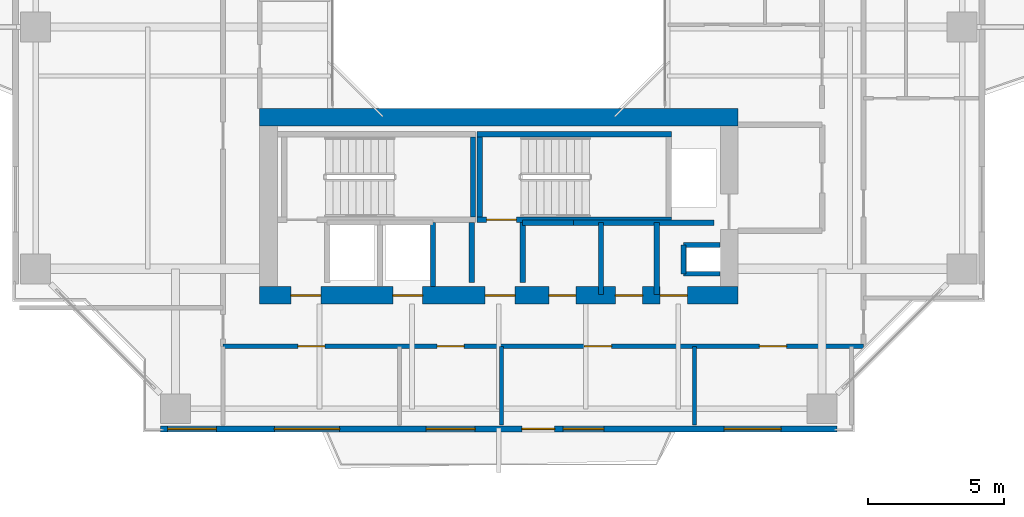
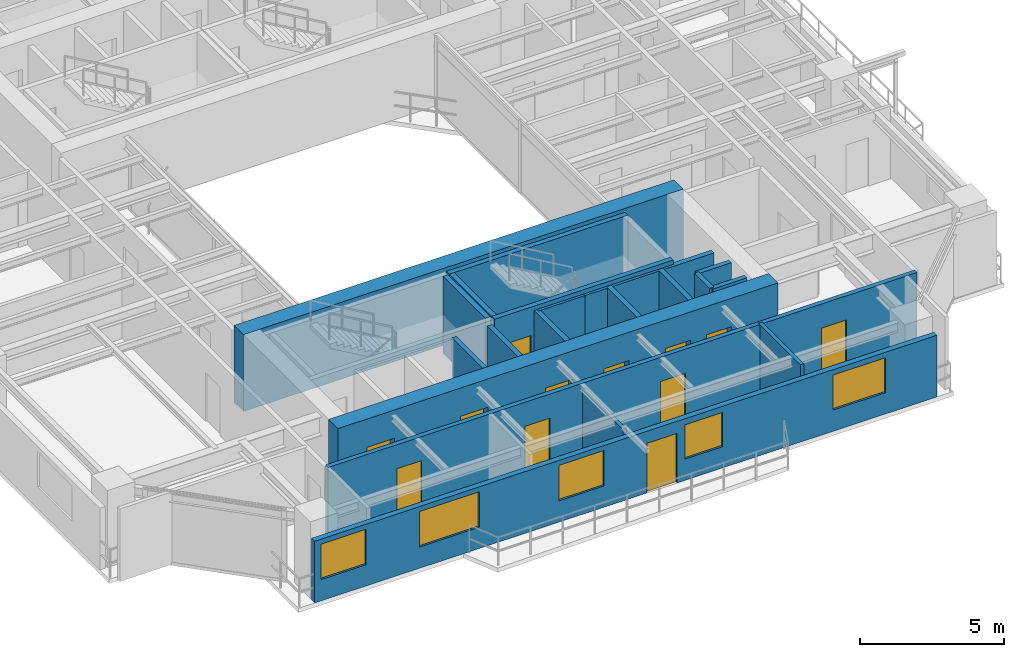
# One storey, part 10 of 17: 20 walls, 12 doors, 5 windows, 17 openings.
"""IFC4 building model written with IfcOpenShell, lengths in metres."""

from ifc_helpers import new_model, si_unit, direction, frame, frame_2d, origin, place, context, subcontext, project, spatial, rectangle, extrude, source, transform, mapped, material, layer, layer_set, type_object, element, fill, save


model = new_model("IFC4")

# Units and contexts
model_context = context("Model", 3, precision=1e-05, world=origin(), true_north=direction((0.0, 1.0)))
body_context = subcontext(model_context, "Body", "Model", "MODEL_VIEW")
ifc_project = project(units=[si_unit("LENGTHUNIT", "METRE"), si_unit("AREAUNIT", "SQUARE_METRE"), si_unit("VOLUMEUNIT", "CUBIC_METRE"), si_unit("PLANEANGLEUNIT", "RADIAN"), si_unit("MASSUNIT", "GRAM", prefix="KILO"), si_unit("THERMODYNAMICTEMPERATUREUNIT", "KELVIN"), si_unit("POWERUNIT", "WATT")], contexts=[model_context])

# Site, building, storey
site_placement = place(None, origin())
site = spatial("IfcSite", under=ifc_project, at=site_placement, CompositionType="ELEMENT")
building_placement = place(site_placement, origin())
building = spatial("IfcBuilding", under=site, at=building_placement, Name="Qiaomeng Ring Towers", CompositionType="ELEMENT")
storey_placement = place(building_placement, frame((0.0, 0.0, 119.75)))
storey = spatial("IfcBuildingStorey", under=building, at=storey_placement, Name="L34", CompositionType="ELEMENT", Elevation=119.75)

# Wall, openings, windows, door
ifc_material_1 = material(Name="Precast concrete C40", Category="concrete")
ifc_layer_1 = layer(ifc_material_1, 0.219970703125, Name="Precast concrete C40")
ifc_layer_set_1 = layer_set([ifc_layer_1], Name="Precast concrete C40")
wall_type_1 = type_object("IfcWallType", Name="ARC-WL-EW2", PredefinedType="STANDARD", material=ifc_layer_set_1)
wall_1_placement = place(storey_placement, frame((6.550048828125, 5.2099609375, 0.0), z_axis=(0.0, 0.0, 1.0), x_axis=(1.0, 0.0, 0.0)))
wall_1 = element("IfcWall", 1, at=wall_1_placement, inside=storey, type_object=wall_type_1, Name="L34 Tower 1 S Exterior Wall", PredefinedType="STANDARD", context=body_context, shape_type="SweptSolid", body=[
    extrude(rectangle(XDim=24.89990234375, YDim=0.219970703125, at=frame_2d((12.449951171875, 0.0))), origin(), (0.0, 0.0, 1.0), 2.610107421875),
])
opening_1_placement = place(wall_1_placement, frame((13.300048828125, 0.0, 0.0)))
opening_1 = element("IfcOpeningElement", 2, at=opening_1_placement, cuts=wall_1, Name="Opening BD1", PredefinedType="OPENING", context=body_context, shape_type="SweptSolid", body=[
    extrude(rectangle(XDim=1.199951171875, YDim=2.10009765625, at=frame_2d((0.60009765625, 1.050048828125))), frame((0.0, 0.119873046875, 0.0), z_axis=(0.0, -1.0, 0.0), x_axis=(1.0, 0.0, 0.0)), (0.0, 0.0, 1.0), 0.239990234375),
])
opening_2_placement = place(wall_1_placement, frame((0.257568359375, 0.0, 0.89990234375)))
opening_2 = element("IfcOpeningElement", 3, at=opening_2_placement, cuts=wall_1, Name="Opening WN1", PredefinedType="OPENING", context=body_context, shape_type="SweptSolid", body=[
    extrude(rectangle(XDim=1.800048828125, YDim=1.5, at=frame_2d((0.89990234375, 0.75))), frame((0.0, 0.119873046875, 0.0), z_axis=(0.0, -1.0, 0.0), x_axis=(1.0, 0.0, 0.0)), (0.0, 0.0, 1.0), 0.239990234375),
])
opening_3_placement = place(wall_1_placement, frame((9.77490234375, 0.0, 0.89990234375)))
opening_3 = element("IfcOpeningElement", 4, at=opening_3_placement, cuts=wall_1, Name="Opening WN1", PredefinedType="OPENING", context=body_context, shape_type="SweptSolid", body=[
    extrude(rectangle(XDim=1.800048828125, YDim=1.5, at=frame_2d((0.89990234375, 0.75))), frame((0.0, 0.119873046875, 0.0), z_axis=(0.0, -1.0, 0.0), x_axis=(1.0, 0.0, 0.0)), (0.0, 0.0, 1.0), 0.239990234375),
])
opening_4_placement = place(wall_1_placement, frame((14.81298828125, 0.0, 0.89990234375)))
opening_4 = element("IfcOpeningElement", 5, at=opening_4_placement, cuts=wall_1, Name="Opening WN2", PredefinedType="OPENING", context=body_context, shape_type="SweptSolid", body=[
    extrude(rectangle(XDim=1.5, YDim=1.449951171875, at=frame_2d((0.75, 0.72509765625))), frame((0.0, 0.119873046875, 0.0), z_axis=(0.0, -1.0, 0.0), x_axis=(1.0, 0.0, 0.0)), (0.0, 0.0, 1.0), 0.239990234375),
])
opening_5_placement = place(wall_1_placement, frame((20.738037109375, 0.0, 0.89990234375)))
opening_5 = element("IfcOpeningElement", 6, at=opening_5_placement, cuts=wall_1, Name="Opening WN4", PredefinedType="OPENING", context=body_context, shape_type="SweptSolid", body=[
    extrude(rectangle(XDim=2.10009765625, YDim=1.47998046875, at=frame_2d((1.050048828125, 0.739990234375))), frame((0.0, 0.119873046875, 0.0), z_axis=(0.0, -1.0, 0.0), x_axis=(1.0, 0.0, 0.0)), (0.0, 0.0, 1.0), 0.239990234375),
])
opening_6_placement = place(wall_1_placement, frame((4.1865234375, 0.0, 0.89990234375)))
opening_6 = element("IfcOpeningElement", 7, at=opening_6_placement, cuts=wall_1, Name="Opening WN6", PredefinedType="OPENING", context=body_context, shape_type="SweptSolid", body=[
    extrude(rectangle(XDim=2.39990234375, YDim=1.5, at=frame_2d((1.199951171875, 0.75))), frame((0.0, 0.119873046875, 0.0), z_axis=(0.0, -1.0, 0.0), x_axis=(1.0, 0.0, 0.0)), (0.0, 0.0, 1.0), 0.239990234375),
])
ifc_material_2 = material(Name="Low-E dark-grey laminated double glazing", Category="glass")
window_type_1 = type_object("IfcWindowType", Name="ARC-WN-2", PartitioningType="DOUBLE_PANEL_VERTICAL", PredefinedType="WINDOW", material=ifc_material_2)
shared_shape_1 = source(origin(), body_context, "Body", "SweptSolid", [
    extrude(rectangle(XDim=1.5, YDim=1.449951171875, at=frame_2d((0.75, 0.72509765625))), frame((0.0, 0.030029296875, 0.0), z_axis=(0.0, -1.0, 0.0), x_axis=(1.0, 0.0, 0.0)), (0.0, 0.0, 1.0), 0.06005859375),
])
window_1_placement = place(opening_4_placement, origin())
window_1 = element("IfcWindow", 8, at=window_1_placement, inside=storey, type_object=window_type_1, Name="L34 Exterior Window WN2", OverallHeight=1.449951171875, OverallWidth=1.5, PartitioningType="DOUBLE_PANEL_VERTICAL", PredefinedType="WINDOW", context=body_context, shape_type="MappedRepresentation", body=[
    mapped(shared_shape_1, transform((0.0, 0.0, 0.0), x_axis=(1.0, 0.0, 0.0), y_axis=(0.0, 1.0, 0.0), z_axis=(0.0, 0.0, 1.0), scale=1.0)),
])
fill(opening_4, window_1)
window_type_2 = type_object("IfcWindowType", Name="ARC-WN-4", PartitioningType="TRIPLE_PANEL_VERTICAL", PredefinedType="WINDOW", material=ifc_material_2)
shared_shape_2 = source(origin(), body_context, "Body", "SweptSolid", [
    extrude(rectangle(XDim=2.10009765625, YDim=1.47998046875, at=frame_2d((1.050048828125, 0.739990234375))), frame((0.0, 0.030029296875, 0.0), z_axis=(0.0, -1.0, 0.0), x_axis=(1.0, 0.0, 0.0)), (0.0, 0.0, 1.0), 0.06005859375),
])
window_2_placement = place(opening_5_placement, origin())
window_2 = element("IfcWindow", 9, at=window_2_placement, inside=storey, type_object=window_type_2, Name="L34 Exterior Window WN4", OverallHeight=1.47998046875, OverallWidth=2.10009765625, PartitioningType="TRIPLE_PANEL_VERTICAL", PredefinedType="WINDOW", context=body_context, shape_type="MappedRepresentation", body=[
    mapped(shared_shape_2, transform((0.0, 0.0, 0.0), x_axis=(1.0, 0.0, 0.0), y_axis=(0.0, 1.0, 0.0), z_axis=(0.0, 0.0, 1.0), scale=1.0)),
])
fill(opening_5, window_2)
door_type_1 = type_object("IfcDoorType", Name="ARC-DR-BD1", OperationType="NOTDEFINED", PredefinedType="DOOR", material=ifc_material_2)
shared_shape_3 = source(origin(), body_context, "Body", "SweptSolid", [
    extrude(rectangle(XDim=1.199951171875, YDim=2.10009765625, at=frame_2d((0.60009765625, 1.050048828125))), frame((0.0, 0.02490234375, 0.0), z_axis=(0.0, -1.0, 0.0), x_axis=(1.0, 0.0, 0.0)), (0.0, 0.0, 1.0), 0.050048828125),
])
door_1_placement = place(opening_1_placement, frame((1.199951171875, 0.0, 0.0), z_axis=(0.0, 0.0, 1.0), x_axis=(-1.0, 0.0, 0.0)))
door_1 = element("IfcDoor", 10, at=door_1_placement, inside=storey, type_object=door_type_1, Name="L34 S Balcony Glazed Door", OperationType="SINGLE_SWING_LEFT", OverallHeight=2.10009765625, OverallWidth=1.199951171875, PredefinedType="DOOR", context=body_context, shape_type="MappedRepresentation", body=[
    mapped(shared_shape_3, transform((0.0, 0.0, 0.0), x_axis=(1.0, 0.0, 0.0), y_axis=(0.0, 1.0, 0.0), z_axis=(0.0, 0.0, 1.0), scale=1.0)),
])
fill(opening_1, door_1)
window_type_3 = type_object("IfcWindowType", Name="ARC-WN-6", PartitioningType="TRIPLE_PANEL_VERTICAL", PredefinedType="WINDOW", material=ifc_material_2)
shared_shape_4 = source(origin(), body_context, "Body", "SweptSolid", [
    extrude(rectangle(XDim=2.39990234375, YDim=1.5, at=frame_2d((1.199951171875, 0.75))), frame((0.0, 0.030029296875, 0.0), z_axis=(0.0, -1.0, 0.0), x_axis=(1.0, 0.0, 0.0)), (0.0, 0.0, 1.0), 0.06005859375),
])
window_3_placement = place(opening_6_placement, origin())
window_3 = element("IfcWindow", 11, at=window_3_placement, inside=storey, type_object=window_type_3, Name="L34 Exterior Window WN6", OverallHeight=1.5, OverallWidth=2.39990234375, PartitioningType="TRIPLE_PANEL_VERTICAL", PredefinedType="WINDOW", context=body_context, shape_type="MappedRepresentation", body=[
    mapped(shared_shape_4, transform((0.0, 0.0, 0.0), x_axis=(1.0, 0.0, 0.0), y_axis=(0.0, 1.0, 0.0), z_axis=(0.0, 0.0, 1.0), scale=1.0)),
])
fill(opening_6, window_3)
window_type_4 = type_object("IfcWindowType", Name="ARC-WN-1", PartitioningType="DOUBLE_PANEL_VERTICAL", PredefinedType="WINDOW", material=ifc_material_2)
shared_shape_5 = source(origin(), body_context, "Body", "SweptSolid", [
    extrude(rectangle(XDim=1.800048828125, YDim=1.5, at=frame_2d((0.89990234375, 0.75))), frame((0.0, 0.030029296875, 0.0), z_axis=(0.0, -1.0, 0.0), x_axis=(1.0, 0.0, 0.0)), (0.0, 0.0, 1.0), 0.06005859375),
])
window_4_placement = place(opening_2_placement, origin())
window_4 = element("IfcWindow", 12, at=window_4_placement, inside=storey, type_object=window_type_4, Name="L34 Exterior Window WN6", OverallHeight=1.5, OverallWidth=1.800048828125, PartitioningType="TRIPLE_PANEL_VERTICAL", PredefinedType="WINDOW", context=body_context, shape_type="MappedRepresentation", body=[
    mapped(shared_shape_5, transform((0.0, 0.0, 0.0), x_axis=(1.0, 0.0, 0.0), y_axis=(0.0, 1.0, 0.0), z_axis=(0.0, 0.0, 1.0), scale=1.0)),
])
fill(opening_2, window_4)
window_5_placement = place(opening_3_placement, origin())
window_5 = element("IfcWindow", 13, at=window_5_placement, inside=storey, type_object=window_type_4, Name="L34 Exterior Window WN1", OverallHeight=1.5, OverallWidth=1.800048828125, PartitioningType="DOUBLE_PANEL_VERTICAL", PredefinedType="WINDOW", context=body_context, shape_type="MappedRepresentation", body=[
    mapped(shared_shape_5, transform((0.0, 0.0, 0.0), x_axis=(1.0, 0.0, 0.0), y_axis=(0.0, 1.0, 0.0), z_axis=(0.0, 0.0, 1.0), scale=1.0)),
])
fill(opening_3, window_5)

# Walls
ifc_material_3 = material(Name="Autoclaved aerated concrete block", Category="concrete")
ifc_layer_2 = layer(ifc_material_3, 0.199951171875, Name="Autoclaved aerated concrete block")
ifc_layer_set_2 = layer_set([ifc_layer_2], Name="Autoclaved aerated concrete block")
wall_type_2 = type_object("IfcWallType", Name="ARC-WL-PW1", PredefinedType="PARTITIONING", material=ifc_layer_set_2)
for number, where, z_axis, x_axis, name in (
    (14, (18.0, 10.60009765625, 0.0), (0.0, 0.0, 1.0), (0.0, 1.0, 0.0), "L34 Interior Wall PW1"),
    (15, (19.8798828125, 10.60009765625, 0.0), (0.0, 0.0, 1.0), (0.0, 1.0, 0.0), "L34 Interior Wall PW1"),
):
    element("IfcWall", number, at=place(storey_placement, frame(where, z_axis=z_axis, x_axis=x_axis)), inside=storey, type_object=wall_type_2, Name=name, PredefinedType="PARTITIONING", context=body_context, shape_type="SweptSolid", body=[
        extrude(rectangle(XDim=2.2099609375, YDim=0.199951171875, at=frame_2d((1.10498046875, 0.0))), origin(), (0.0, 0.0, 1.0), 3.070068359375),
    ])
wall_2_placement = place(storey_placement, frame((24.820068359375, 10.14990234375, 0.0), z_axis=(0.0, 0.0, 1.0), x_axis=(0.0, 1.0, 0.0)))
element("IfcWall", 16, at=wall_2_placement, inside=storey, type_object=wall_type_2, Name="L34 Interior Wall PW1", PredefinedType="PARTITIONING", context=body_context, shape_type="SweptSolid", body=[
    extrude(rectangle(XDim=2.650146484375, YDim=0.199951171875, at=frame_2d((1.3251953125, 0.0))), origin(), (0.0, 0.0, 1.0), 3.070068359375),
])
wall_3_placement = place(storey_placement, frame((19.8798828125, 12.800048828125, 0.0), z_axis=(0.0, 0.0, 1.0), x_axis=(1.0, 0.0, 0.0)))
element("IfcWall", 17, at=wall_3_placement, inside=storey, type_object=wall_type_2, Name="L34 Interior Wall PW1", PredefinedType="PARTITIONING", context=body_context, shape_type="SweptSolid", body=[
    extrude(rectangle(XDim=1.8701171875, YDim=0.199951171875, at=frame_2d((0.93505859375, 0.0))), origin(), (0.0, 0.0, 1.0), 3.070068359375),
])
wall_4_placement = place(storey_placement, frame((22.760009765625, 10.14990234375, 0.0), z_axis=(0.0, 0.0, 1.0), x_axis=(0.0, 1.0, 0.0)))
element("IfcWall", 18, at=wall_4_placement, inside=storey, type_object=wall_type_2, Name="L34 Interior Wall PW1", PredefinedType="PARTITIONING", context=body_context, shape_type="SweptSolid", body=[
    extrude(rectangle(XDim=2.650146484375, YDim=0.199951171875, at=frame_2d((1.3251953125, 0.0))), origin(), (0.0, 0.0, 1.0), 3.070068359375),
])
wall_5_placement = place(storey_placement, frame((21.75, 12.800048828125, 0.0), z_axis=(0.0, 0.0, 1.0), x_axis=(1.0, 0.0, 0.0)))
element("IfcWall", 19, at=wall_5_placement, inside=storey, type_object=wall_type_2, Name="L34 Interior Wall PW1", PredefinedType="PARTITIONING", context=body_context, shape_type="SweptSolid", body=[
    extrude(rectangle(XDim=5.169921875, YDim=0.199951171875, at=frame_2d((2.5849609375, 0.0))), origin(), (0.0, 0.0, 1.0), 3.070068359375),
])

# Wall, openings, doors
ifc_layer_3 = layer(ifc_material_3, 0.179931640625, Name="Autoclaved aerated concrete block")
ifc_layer_set_3 = layer_set([ifc_layer_3], Name="Autoclaved aerated concrete block")
wall_type_3 = type_object("IfcWallType", Name="ARC-WL-PW2", PredefinedType="PARTITIONING", material=ifc_layer_set_3)
wall_6_placement = place(storey_placement, frame((8.85009765625, 8.25, 0.0), z_axis=(0.0, 0.0, 1.0), x_axis=(1.0, 0.0, 0.0)))
wall_6 = element("IfcWall", 20, at=wall_6_placement, inside=storey, type_object=wall_type_3, Name="L34 Interior Wall PW2", PredefinedType="PARTITIONING", context=body_context, shape_type="SweptSolid", body=[
    extrude(rectangle(XDim=23.56982421875, YDim=0.179931640625, at=frame_2d((11.784912109375, 0.0))), origin(), (0.0, 0.0, 1.0), 3.070068359375),
])
opening_7_placement = place(wall_6_placement, frame((2.75, 0.0, 0.0)))
opening_7 = element("IfcOpeningElement", 21, at=opening_7_placement, cuts=wall_6, Name="Opening FD4", PredefinedType="OPENING", context=body_context, shape_type="SweptSolid", body=[
    extrude(rectangle(XDim=1.0, YDim=2.050048828125, at=frame_2d((0.5, 1.02490234375))), frame((0.0, 0.099853515625, 0.0), z_axis=(0.0, -1.0, 0.0), x_axis=(1.0, 0.0, 0.0)), (0.0, 0.0, 1.0), 0.199951171875),
])
opening_8_placement = place(wall_6_placement, frame((7.875, 0.0, 0.0)))
opening_8 = element("IfcOpeningElement", 22, at=opening_8_placement, cuts=wall_6, Name="Opening FD4", PredefinedType="OPENING", context=body_context, shape_type="SweptSolid", body=[
    extrude(rectangle(XDim=1.0, YDim=2.050048828125, at=frame_2d((0.5, 1.02490234375))), frame((0.0, 0.099853515625, 0.0), z_axis=(0.0, -1.0, 0.0), x_axis=(1.0, 0.0, 0.0)), (0.0, 0.0, 1.0), 0.199951171875),
])
opening_9_placement = place(wall_6_placement, frame((13.300048828125, 0.0, 0.0)))
opening_9 = element("IfcOpeningElement", 23, at=opening_9_placement, cuts=wall_6, Name="Opening FD4", PredefinedType="OPENING", context=body_context, shape_type="SweptSolid", body=[
    extrude(rectangle(XDim=1.0, YDim=2.050048828125, at=frame_2d((0.5, 1.02490234375))), frame((0.0, 0.099853515625, 0.0), z_axis=(0.0, -1.0, 0.0), x_axis=(1.0, 0.0, 0.0)), (0.0, 0.0, 1.0), 0.199951171875),
])
opening_10_placement = place(wall_6_placement, frame((19.739990234375, 0.0, 0.0)))
opening_10 = element("IfcOpeningElement", 24, at=opening_10_placement, cuts=wall_6, Name="Opening FD4", PredefinedType="OPENING", context=body_context, shape_type="SweptSolid", body=[
    extrude(rectangle(XDim=1.0, YDim=2.050048828125, at=frame_2d((0.5, 1.02490234375))), frame((0.0, 0.099853515625, 0.0), z_axis=(0.0, -1.0, 0.0), x_axis=(1.0, 0.0, 0.0)), (0.0, 0.0, 1.0), 0.199951171875),
])
ifc_material_4 = material(Name="Engineered fire-rated oak timber", Category="wood")
door_type_2 = type_object("IfcDoorType", Name="ARC-DR-FD4", OperationType="NOTDEFINED", PredefinedType="DOOR", material=ifc_material_4)
shared_shape_6 = source(origin(), body_context, "Body", "SweptSolid", [
    extrude(rectangle(XDim=1.0, YDim=2.050048828125, at=frame_2d((0.5, 1.02490234375))), frame((0.0, 0.02490234375, 0.0), z_axis=(0.0, -1.0, 0.0), x_axis=(1.0, 0.0, 0.0)), (0.0, 0.0, 1.0), 0.050048828125),
])
door_2_placement = place(opening_7_placement, origin())
door_2 = element("IfcDoor", 25, at=door_2_placement, inside=storey, type_object=door_type_2, Name="L34 Door FD4", OperationType="SINGLE_SWING_LEFT", OverallHeight=2.050048828125, OverallWidth=1.0, PredefinedType="DOOR", context=body_context, shape_type="MappedRepresentation", body=[
    mapped(shared_shape_6, transform((0.0, 0.0, 0.0), x_axis=(1.0, 0.0, 0.0), y_axis=(0.0, 1.0, 0.0), z_axis=(0.0, 0.0, 1.0), scale=1.0)),
])
fill(opening_7, door_2)
door_3_placement = place(opening_8_placement, origin())
door_3 = element("IfcDoor", 26, at=door_3_placement, inside=storey, type_object=door_type_2, Name="L34 Door FD4", OperationType="SINGLE_SWING_RIGHT", OverallHeight=2.050048828125, OverallWidth=1.0, PredefinedType="DOOR", context=body_context, shape_type="MappedRepresentation", body=[
    mapped(shared_shape_6, transform((0.0, 0.0, 0.0), x_axis=(1.0, 0.0, 0.0), y_axis=(0.0, 1.0, 0.0), z_axis=(0.0, 0.0, 1.0), scale=1.0)),
])
fill(opening_8, door_3)
door_4_placement = place(opening_9_placement, origin())
door_4 = element("IfcDoor", 27, at=door_4_placement, inside=storey, type_object=door_type_2, Name="L34 Door FD4", OperationType="SINGLE_SWING_LEFT", OverallHeight=2.050048828125, OverallWidth=1.0, PredefinedType="DOOR", context=body_context, shape_type="MappedRepresentation", body=[
    mapped(shared_shape_6, transform((0.0, 0.0, 0.0), x_axis=(1.0, 0.0, 0.0), y_axis=(0.0, 1.0, 0.0), z_axis=(0.0, 0.0, 1.0), scale=1.0)),
])
fill(opening_9, door_4)
door_5_placement = place(opening_10_placement, origin())
door_5 = element("IfcDoor", 28, at=door_5_placement, inside=storey, type_object=door_type_2, Name="L34 Door FD4", OperationType="SINGLE_SWING_RIGHT", OverallHeight=2.050048828125, OverallWidth=1.0, PredefinedType="DOOR", context=body_context, shape_type="MappedRepresentation", body=[
    mapped(shared_shape_6, transform((0.0, 0.0, 0.0), x_axis=(1.0, 0.0, 0.0), y_axis=(0.0, 1.0, 0.0), z_axis=(0.0, 0.0, 1.0), scale=1.0)),
])
fill(opening_10, door_5)

# Walls
ifc_material_5 = material(Name="Gypsum fireboard steel-stud partition", Category="steel")
ifc_layer_4 = layer(ifc_material_5, 0.14990234375, Name="Gypsum fireboard steel-stud partition")
ifc_layer_set_4 = layer_set([ifc_layer_4], Name="Gypsum fireboard steel-stud partition")
wall_type_4 = type_object("IfcWallType", Name="ARC-WL-PW3", PredefinedType="PARTITIONING", material=ifc_layer_set_4)
wall_7_placement = place(storey_placement, frame((19.10009765625, 5.35009765625, 0.0), z_axis=(0.0, 0.0, 1.0), x_axis=(0.0, 1.0, 0.0)))
element("IfcWall", 29, at=wall_7_placement, inside=storey, type_object=wall_type_4, Name="L34 Interior Wall PW3", PredefinedType="PARTITIONING", context=body_context, shape_type="SweptSolid", body=[
    extrude(rectangle(XDim=2.89990234375, YDim=0.14990234375, at=frame_2d((1.449951171875, 0.0))), origin(), (0.0, 0.0, 1.0), 2.821044921875),
])
wall_8_placement = place(storey_placement, frame((26.199951171875, 5.35009765625, 0.0), z_axis=(0.0, 0.0, 1.0), x_axis=(0.0, 1.0, 0.0)))
element("IfcWall", 30, at=wall_8_placement, inside=storey, type_object=wall_type_4, Name="L34 Interior Wall PW3", PredefinedType="PARTITIONING", context=body_context, shape_type="SweptSolid", body=[
    extrude(rectangle(XDim=2.89990234375, YDim=0.14990234375, at=frame_2d((1.449951171875, 0.0))), origin(), (0.0, 0.0, 1.0), 3.070068359375),
])
ifc_material_6 = material(Name="Concrete C40", Category="concrete")
ifc_layer_5 = layer(ifc_material_6, 0.199951171875, Name="Concrete C40")
ifc_layer_set_5 = layer_set([ifc_layer_5], Name="Concrete C40")
wall_type_5 = type_object("IfcWallType", Name="STR-WL-STSHAFT", PredefinedType="SHEAR", material=ifc_layer_set_5)
wall_9_placement = place(storey_placement, frame((25.800048828125, 10.919921875, 0.0), z_axis=(0.0, 0.0, 1.0), x_axis=(0.0, 1.0, 0.0)))
element("IfcWall", 31, at=wall_9_placement, inside=storey, type_object=wall_type_5, Name="L34 Riser RSR1 West Shaft Wall S", PredefinedType="SHEAR", context=body_context, shape_type="SweptSolid", body=[
    extrude(rectangle(XDim=1.06005859375, YDim=0.179931640625, at=frame_2d((0.530029296875, 0.0))), origin(), (0.0, 0.0, 1.0), 3.070068359375),
])
for number, where, z_axis, x_axis, name in (
    (32, (25.800048828125, 11.97998046875, 0.0), (0.0, 0.0, 1.0), (1.0, 0.0, 0.0), "L34 Riser RSR1 North Shaft Wall S"),
    (33, (25.800048828125, 10.919921875, 0.0), (0.0, 0.0, 1.0), (1.0, 0.0, 0.0), "L34 Riser RSR1 South Shaft Wall S"),
):
    element("IfcWall", number, at=place(storey_placement, frame(where, z_axis=z_axis, x_axis=x_axis)), inside=storey, type_object=wall_type_5, Name=name, PredefinedType="SHEAR", context=body_context, shape_type="SweptSolid", body=[
        extrude(rectangle(XDim=1.349853515625, YDim=0.179931640625, at=frame_2d((0.6748046875, 0.0))), origin(), (0.0, 0.0, 1.0), 3.070068359375),
    ])
wall_10_placement = place(storey_placement, frame((16.580078125, 10.449951171875, 0.0), z_axis=(0.0, 0.0, 1.0), x_axis=(0.0, 1.0, 0.0)))
element("IfcWall", 34, at=wall_10_placement, inside=storey, type_object=wall_type_5, Name="L34 Lift LP4 East Shaft Wall", PredefinedType="SHEAR", context=body_context, shape_type="SweptSolid", body=[
    extrude(rectangle(XDim=2.35009765625, YDim=0.179931640625, at=frame_2d((1.175048828125, 0.0))), origin(), (0.0, 0.0, 1.0), 3.070068359375),
])
wall_11_placement = place(storey_placement, frame((18.050048828125, 13.010009765625, 0.0), z_axis=(0.0, 0.0, 1.0), x_axis=(0.0, 1.0, 0.0)))
element("IfcWall", 35, at=wall_11_placement, inside=storey, type_object=wall_type_5, Name="L34 Stair ST3 East Shaft Shear Wall", PredefinedType="SHEAR", context=body_context, shape_type="SweptSolid", body=[
    extrude(rectangle(XDim=2.93994140625, YDim=0.199951171875, at=frame_2d((1.469970703125, 0.0))), origin(), (0.0, 0.0, 1.0), 3.25),
])

# Wall, opening, door
wall_12_placement = place(storey_placement, frame((18.199951171875, 12.909912109375, 0.0), z_axis=(0.0, 0.0, 1.0), x_axis=(1.0, 0.0, 0.0)))
wall_12 = element("IfcWall", 36, at=wall_12_placement, inside=storey, type_object=wall_type_5, Name="L34 Stair ST4 South Shaft Shear Wall", PredefinedType="SHEAR", context=body_context, shape_type="SweptSolid", body=[
    extrude(rectangle(XDim=7.150146484375, YDim=0.199951171875, at=frame_2d((3.5751953125, 0.0))), origin(), (0.0, 0.0, 1.0), 3.25),
])
opening_11_placement = place(wall_12_placement, frame((0.35009765625, 0.0, 0.0)))
opening_11 = element("IfcOpeningElement", 37, at=opening_11_placement, cuts=wall_12, Name="Opening FD3", PredefinedType="OPENING", context=body_context, shape_type="SweptSolid", body=[
    extrude(rectangle(XDim=1.10009765625, YDim=2.050048828125, at=frame_2d((0.550048828125, 1.02490234375))), frame((0.0, 0.10986328125, 0.0), z_axis=(0.0, -1.0, 0.0), x_axis=(1.0, 0.0, 0.0)), (0.0, 0.0, 1.0), 0.219970703125),
])
ifc_material_7 = material(Name="Galvanised steel", Category="steel")
door_type_3 = type_object("IfcDoorType", Name="ARC-DR-FD3", OperationType="NOTDEFINED", PredefinedType="DOOR", material=ifc_material_7)
shared_shape_7 = source(origin(), body_context, "Body", "SweptSolid", [
    extrude(rectangle(XDim=1.10009765625, YDim=2.050048828125, at=frame_2d((0.550048828125, 1.02490234375))), frame((0.0, 0.02490234375, 0.0), z_axis=(0.0, -1.0, 0.0), x_axis=(1.0, 0.0, 0.0)), (0.0, 0.0, 1.0), 0.050048828125),
])
door_6_placement = place(opening_11_placement, frame((1.10009765625, 0.0, 0.0), z_axis=(0.0, 0.0, 1.0), x_axis=(-1.0, 0.0, 0.0)))
door_6 = element("IfcDoor", 38, at=door_6_placement, inside=storey, type_object=door_type_3, Name="L34 Stair ST4 Exit Door", OperationType="SINGLE_SWING_RIGHT", OverallHeight=2.050048828125, OverallWidth=1.10009765625, PredefinedType="DOOR", context=body_context, shape_type="MappedRepresentation", body=[
    mapped(shared_shape_7, transform((0.0, 0.0, 0.0), x_axis=(1.0, 0.0, 0.0), y_axis=(0.0, 1.0, 0.0), z_axis=(0.0, 0.0, 1.0), scale=1.0)),
])
fill(opening_11, door_6)

# Walls
wall_13_placement = place(storey_placement, frame((18.199951171875, 16.050048828125, 0.0), z_axis=(0.0, 0.0, 1.0), x_axis=(1.0, 0.0, 0.0)))
element("IfcWall", 39, at=wall_13_placement, inside=storey, type_object=wall_type_5, Name="L34 Stair ST4 North Shaft Shear Wall", PredefinedType="SHEAR", context=body_context, shape_type="SweptSolid", body=[
    extrude(rectangle(XDim=7.150146484375, YDim=0.199951171875, at=frame_2d((3.5751953125, 0.0))), origin(), (0.0, 0.0, 1.0), 3.25),
])
wall_14_placement = place(storey_placement, frame((18.300048828125, 13.010009765625, 0.0), z_axis=(0.0, 0.0, 1.0), x_axis=(0.0, 1.0, 0.0)))
element("IfcWall", 40, at=wall_14_placement, inside=storey, type_object=wall_type_5, Name="L34 Stair ST4 West Shaft Shear Wall", PredefinedType="SHEAR", context=body_context, shape_type="SweptSolid", body=[
    extrude(rectangle(XDim=2.93994140625, YDim=0.199951171875, at=frame_2d((1.469970703125, 0.0))), origin(), (0.0, 0.0, 1.0), 3.25),
])

# Wall, openings, doors
ifc_material_8 = material(Name="Concrete C55", Category="concrete")
ifc_layer_6 = layer(ifc_material_8, 0.64990234375, Name="Concrete C55")
ifc_layer_set_6 = layer_set([ifc_layer_6], Name="Concrete C55")
wall_type_6 = type_object("IfcWallType", Name="STR-WL-SW2A", PredefinedType="SHEAR", material=ifc_layer_set_6)
wall_15_placement = place(storey_placement, frame((10.199951171875, 10.125, 0.0), z_axis=(0.0, 0.0, 1.0), x_axis=(1.0, 0.0, 0.0)))
wall_15 = element("IfcWall", 41, at=wall_15_placement, inside=storey, type_object=wall_type_6, Name="L34 T1SC south core shear wall", PredefinedType="SHEAR", context=body_context, shape_type="SweptSolid", body=[
    extrude(rectangle(XDim=17.60009765625, YDim=0.64990234375, at=frame_2d((8.800048828125, 0.0))), origin(), (0.0, 0.0, 1.0), 3.25),
])
opening_12_placement = place(wall_15_placement, frame((1.14990234375, 0.0, 0.0)))
opening_12 = element("IfcOpeningElement", 42, at=opening_12_placement, cuts=wall_15, Name="Opening FD3", PredefinedType="OPENING", context=body_context, shape_type="SweptSolid", body=[
    extrude(rectangle(XDim=1.10009765625, YDim=2.050048828125, at=frame_2d((0.550048828125, 1.02490234375))), frame((0.0, 0.3349609375, 0.0), z_axis=(0.0, -1.0, 0.0), x_axis=(1.0, 0.0, 0.0)), (0.0, 0.0, 1.0), 0.669921875),
])
opening_13_placement = place(wall_15_placement, frame((8.300048828125, 0.0, 0.0)))
opening_13 = element("IfcOpeningElement", 43, at=opening_13_placement, cuts=wall_15, Name="Opening FD3", PredefinedType="OPENING", context=body_context, shape_type="SweptSolid", body=[
    extrude(rectangle(XDim=1.10009765625, YDim=2.050048828125, at=frame_2d((0.550048828125, 1.02490234375))), frame((0.0, 0.3349609375, 0.0), z_axis=(0.0, -1.0, 0.0), x_axis=(1.0, 0.0, 0.0)), (0.0, 0.0, 1.0), 0.669921875),
])
opening_14_placement = place(wall_15_placement, frame((4.89990234375, 0.0, 0.0)))
opening_14 = element("IfcOpeningElement", 44, at=opening_14_placement, cuts=wall_15, Name="Opening LD1", PredefinedType="OPENING", context=body_context, shape_type="SweptSolid", body=[
    extrude(rectangle(XDim=1.10009765625, YDim=2.050048828125, at=frame_2d((0.550048828125, 1.02490234375))), frame((0.0, 0.3349609375, 0.0), z_axis=(0.0, -1.0, 0.0), x_axis=(1.0, 0.0, 0.0)), (0.0, 0.0, 1.0), 0.669921875),
])
opening_15_placement = place(wall_15_placement, frame((14.739990234375, 0.0, 0.0)))
opening_15 = element("IfcOpeningElement", 45, at=opening_15_placement, cuts=wall_15, Name="Opening FD1", PredefinedType="OPENING", context=body_context, shape_type="SweptSolid", body=[
    extrude(rectangle(XDim=1.0, YDim=2.050048828125, at=frame_2d((0.5, 1.02490234375))), frame((0.0, 0.3349609375, 0.0), z_axis=(0.0, -1.0, 0.0), x_axis=(1.0, 0.0, 0.0)), (0.0, 0.0, 1.0), 0.669921875),
])
opening_16_placement = place(wall_15_placement, frame((10.639892578125, 0.0, 0.0)))
opening_16 = element("IfcOpeningElement", 46, at=opening_16_placement, cuts=wall_15, Name="Opening FD1", PredefinedType="OPENING", context=body_context, shape_type="SweptSolid", body=[
    extrude(rectangle(XDim=1.0, YDim=2.050048828125, at=frame_2d((0.5, 1.02490234375))), frame((0.0, 0.3349609375, 0.0), z_axis=(0.0, -1.0, 0.0), x_axis=(1.0, 0.0, 0.0)), (0.0, 0.0, 1.0), 0.669921875),
])
opening_17_placement = place(wall_15_placement, frame((13.090087890625, 0.0, 0.0)))
opening_17 = element("IfcOpeningElement", 47, at=opening_17_placement, cuts=wall_15, Name="Opening FD1", PredefinedType="OPENING", context=body_context, shape_type="SweptSolid", body=[
    extrude(rectangle(XDim=1.0, YDim=2.050048828125, at=frame_2d((0.5, 1.02490234375))), frame((0.0, 0.3349609375, 0.0), z_axis=(0.0, -1.0, 0.0), x_axis=(1.0, 0.0, 0.0)), (0.0, 0.0, 1.0), 0.669921875),
])
door_7_placement = place(opening_12_placement, origin())
door_7 = element("IfcDoor", 48, at=door_7_placement, inside=storey, type_object=door_type_3, Name="L34 Stair ST3 Lobby Door", OperationType="SINGLE_SWING_LEFT", OverallHeight=2.050048828125, OverallWidth=1.10009765625, PredefinedType="DOOR", context=body_context, shape_type="MappedRepresentation", body=[
    mapped(shared_shape_7, transform((0.0, 0.0, 0.0), x_axis=(1.0, 0.0, 0.0), y_axis=(0.0, 1.0, 0.0), z_axis=(0.0, 0.0, 1.0), scale=1.0)),
])
fill(opening_12, door_7)
door_8_placement = place(opening_13_placement, origin())
door_8 = element("IfcDoor", 49, at=door_8_placement, inside=storey, type_object=door_type_3, Name="L34 Stair ST4 Lobby Door", OperationType="SINGLE_SWING_LEFT", OverallHeight=2.050048828125, OverallWidth=1.10009765625, PredefinedType="DOOR", context=body_context, shape_type="MappedRepresentation", body=[
    mapped(shared_shape_7, transform((0.0, 0.0, 0.0), x_axis=(1.0, 0.0, 0.0), y_axis=(0.0, 1.0, 0.0), z_axis=(0.0, 0.0, 1.0), scale=1.0)),
])
fill(opening_13, door_8)
ifc_material_9 = material(Name="Stainless steel 316", Category="steel")
door_type_4 = type_object("IfcDoorType", Name="ARC-DR-LD1", OperationType="NOTDEFINED", PredefinedType="DOOR", material=ifc_material_9)
door_9_placement = place(opening_14_placement, origin())
door_9 = element("IfcDoor", 50, at=door_9_placement, inside=storey, type_object=door_type_4, Name="L34 Mid-Zone Lift LP4 Landing Door", OperationType="SLIDING_TO_RIGHT", OverallHeight=2.050048828125, OverallWidth=1.10009765625, PredefinedType="DOOR", context=body_context, shape_type="MappedRepresentation", body=[
    mapped(shared_shape_7, transform((0.0, 0.0, 0.0), x_axis=(1.0, 0.0, 0.0), y_axis=(0.0, 1.0, 0.0), z_axis=(0.0, 0.0, 1.0), scale=1.0)),
])
fill(opening_14, door_9)
door_type_5 = type_object("IfcDoorType", Name="ARC-DR-FD1", OperationType="NOTDEFINED", PredefinedType="DOOR", material=ifc_material_7)
door_10_placement = place(opening_15_placement, origin())
door_10 = element("IfcDoor", 51, at=door_10_placement, inside=storey, type_object=door_type_5, Name="L34 South Electrical Riser Door", OperationType="SINGLE_SWING_RIGHT", OverallHeight=2.050048828125, OverallWidth=1.0, PredefinedType="DOOR", context=body_context, shape_type="MappedRepresentation", body=[
    mapped(shared_shape_6, transform((0.0, 0.0, 0.0), x_axis=(1.0, 0.0, 0.0), y_axis=(0.0, 1.0, 0.0), z_axis=(0.0, 0.0, 1.0), scale=1.0)),
])
fill(opening_15, door_10)
door_11_placement = place(opening_16_placement, origin())
door_11 = element("IfcDoor", 52, at=door_11_placement, inside=storey, type_object=door_type_5, Name="L34 South Telemetry Study Door", OperationType="SINGLE_SWING_LEFT", OverallHeight=2.050048828125, OverallWidth=1.0, PredefinedType="DOOR", context=body_context, shape_type="MappedRepresentation", body=[
    mapped(shared_shape_6, transform((0.0, 0.0, 0.0), x_axis=(1.0, 0.0, 0.0), y_axis=(0.0, 1.0, 0.0), z_axis=(0.0, 0.0, 1.0), scale=1.0)),
])
fill(opening_16, door_11)
door_12_placement = place(opening_17_placement, origin())
door_12 = element("IfcDoor", 53, at=door_12_placement, inside=storey, type_object=door_type_5, Name="L34 South Staff Pantry Door", OperationType="SINGLE_SWING_RIGHT", OverallHeight=2.050048828125, OverallWidth=1.0, PredefinedType="DOOR", context=body_context, shape_type="MappedRepresentation", body=[
    mapped(shared_shape_6, transform((0.0, 0.0, 0.0), x_axis=(1.0, 0.0, 0.0), y_axis=(0.0, 1.0, 0.0), z_axis=(0.0, 0.0, 1.0), scale=1.0)),
])
fill(opening_17, door_12)

# Wall
wall_16_placement = place(storey_placement, frame((10.199951171875, 16.675048828125, 0.0), z_axis=(0.0, 0.0, 1.0), x_axis=(1.0, 0.0, 0.0)))
element("IfcWall", 54, at=wall_16_placement, inside=storey, type_object=wall_type_6, Name="L34 T1SC north core shear wall", PredefinedType="SHEAR", context=body_context, shape_type="SweptSolid", body=[
    extrude(rectangle(XDim=17.60009765625, YDim=0.64990234375, at=frame_2d((8.800048828125, 0.0))), origin(), (0.0, 0.0, 1.0), 3.25),
])

save(model, "model.ifc")
